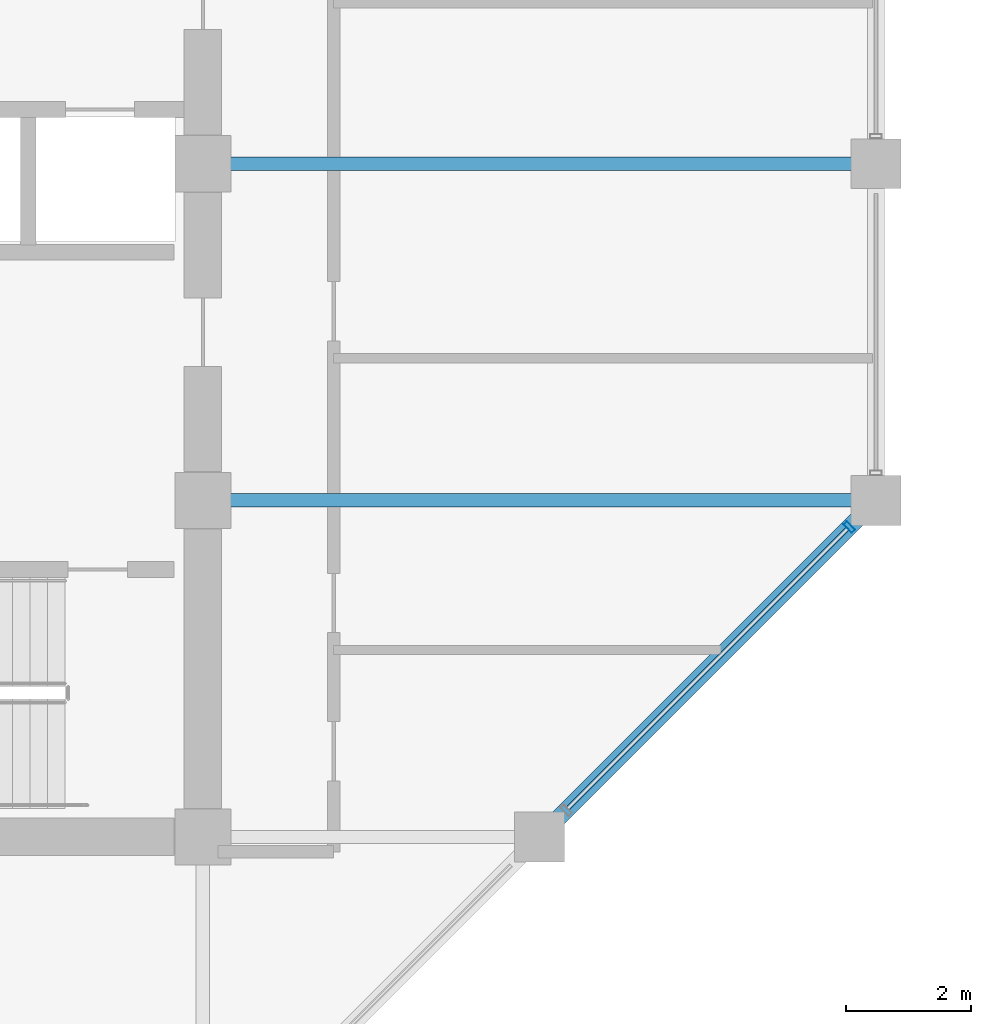
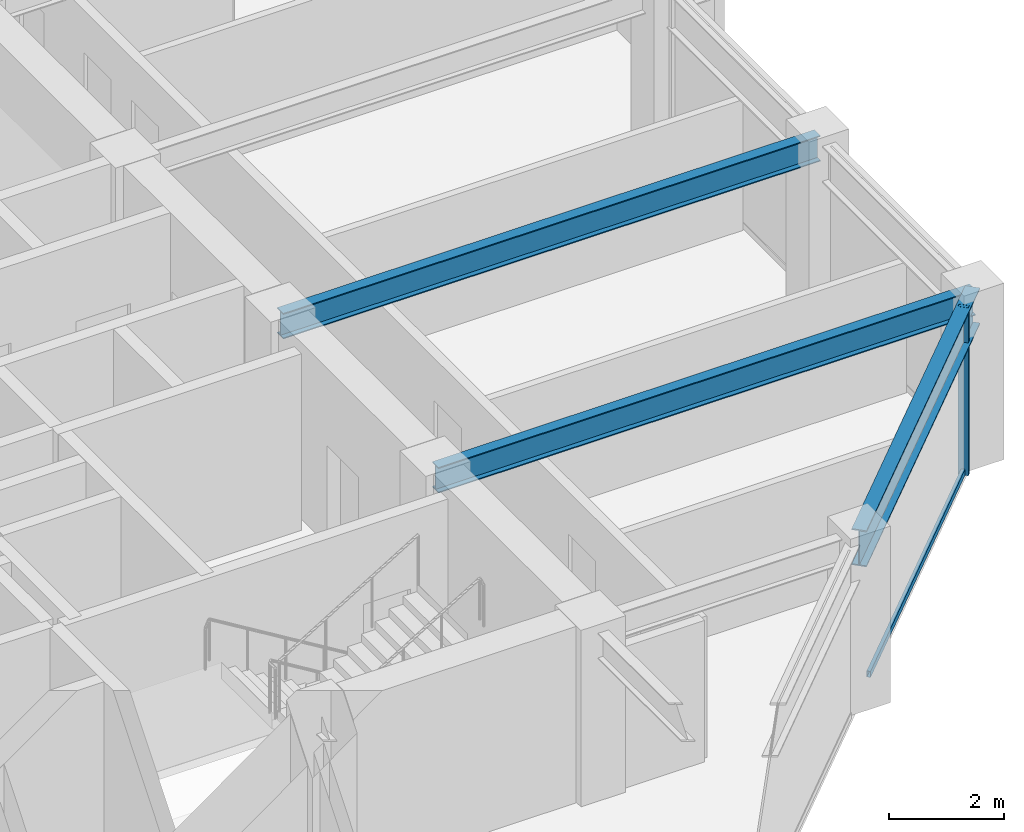
# One storey, part 11 of 30: 3 beams, 2 members, 1 element without a shape of its own.
"""IFC4 building model written with IfcOpenShell, lengths in metres."""

from ifc_helpers import new_model, si_unit, direction, frame, origin, origin_2d, place, context, subcontext, project, spatial, hollow_rectangle, i_section, extrude, material, layer, layer_set, material_profile, profile_set, type_object, element, aggregate, save


model = new_model("IFC4")

# Units and contexts
model_context = context("Model", 3, precision=1e-05, world=origin(), true_north=direction((0.0, 1.0)))
body_context = subcontext(model_context, "Body", "Model", "MODEL_VIEW")
ifc_project = project(units=[si_unit("LENGTHUNIT", "METRE"), si_unit("AREAUNIT", "SQUARE_METRE"), si_unit("VOLUMEUNIT", "CUBIC_METRE"), si_unit("PLANEANGLEUNIT", "RADIAN"), si_unit("MASSUNIT", "GRAM", prefix="KILO")], contexts=[model_context])

# Site, building, storey
site_placement = place(None, origin())
site = spatial("IfcSite", under=ifc_project, at=site_placement, CompositionType="ELEMENT")
building_placement = place(site_placement, origin())
building = spatial("IfcBuilding", under=site, at=building_placement, Name="Surkhivell Harbour Commons", CompositionType="ELEMENT")
storey_placement = place(building_placement, frame((0.0, 0.0, 227.25)))
storey = spatial("IfcBuildingStorey", under=building, at=storey_placement, Name="L59", CompositionType="ELEMENT", Elevation=227.25)

# Beams
ifc_material_1 = material(Name="Steel S355", Category="steel")
ifc_material_profile_1 = material_profile(ifc_material_1, i_section(OverallWidth=0.2119140625, OverallDepth=0.5439453125, WebThickness=0.0126953125, FlangeThickness=0.021240234375, at=origin_2d()), Name="UB533x210x122")
ifc_profile_set_1 = profile_set([ifc_material_profile_1], Name="Steel S355")
beam_type_1 = type_object("IfcBeamType", Name="BM-GRD-533A", PredefinedType="BEAM", material=ifc_profile_set_1)
for number, where, z_axis, x_axis, name in (
    (1, (10.800048828125, -5.39990234375, 3.298095703125), (1.0, 0.0, 0.0), (0.0, 1.0, 0.0), "L59 Floor Girder (10.8,-5.4)"),
    (2, (10.800048828125, 0.0, 3.298095703125), (1.0, 0.0, 0.0), (0.0, 1.0, 0.0), "L59 Floor Girder (10.8,0.0)"),
):
    element("IfcBeam", number, at=place(storey_placement, frame(where, z_axis=z_axis, x_axis=x_axis)), inside=storey, type_object=beam_type_1, Name=name, PredefinedType="BEAM", context=body_context, shape_type="SweptSolid", body=[
        extrude(i_section(OverallWidth=0.2119140625, OverallDepth=0.5439453125, WebThickness=0.0126953125, FlangeThickness=0.021240234375, at=origin_2d()), origin(), (0.0, 0.0, 1.0), 10.800048828125),
    ])
ifc_material_profile_2 = material_profile(ifc_material_1, i_section(OverallWidth=0.26806640625, OverallDepth=0.77001953125, WebThickness=0.015625, FlangeThickness=0.025390625, at=origin_2d()), Name="UB762x267x197")
ifc_profile_set_2 = profile_set([ifc_material_profile_2], Name="Steel S355")
beam_type_2 = type_object("IfcBeamType", Name="BM-SPN-762", PredefinedType="SPANDREL", material=ifc_profile_set_2)
beam_placement = place(storey_placement, frame((16.199951171875, -10.800048828125, 3.18505859375), z_axis=(0.707106781187, 0.707106781187, 0.0), x_axis=(-0.707106781187, 0.707106781187, 0.0)))
element("IfcBeam", 3, at=beam_placement, inside=storey, type_object=beam_type_2, Name="L59 Tube Spandrel (16.2,-10.8)", PredefinedType="SPANDREL", context=body_context, shape_type="SweptSolid", body=[
    extrude(i_section(OverallWidth=0.26806640625, OverallDepth=0.77001953125, WebThickness=0.015625, FlangeThickness=0.025390625, at=origin_2d()), origin(), (0.0, 0.0, 1.0), 7.636962890625),
])

# Curtain wall, members
ifc_material_2 = material(Name="Anodised pale-metal aluminium and insulated glazing", Category="aluminium")
ifc_layer = layer(ifc_material_2, 0.18994140625)
ifc_layer_set = layer_set([ifc_layer], Name="Anodised pale-metal aluminium and insulated glazing")
curtain_wall_type = type_object("IfcCurtainWallType", Name="CW-SYS-Z3", PredefinedType="NOTDEFINED", material=ifc_layer_set)
curtain_wall_placement = place(storey_placement, origin())
curtain_wall = element("IfcCurtainWall", 4, at=curtain_wall_placement, inside=storey, type_object=curtain_wall_type, Name="L59 Curtain Wall CW-L59-E01", PredefinedType="NOTDEFINED")
ifc_material_3 = material(Name="Anodised pale-metal aluminium alloy 6063-T6", Category="aluminium")
ifc_material_profile_3 = material_profile(ifc_material_3, hollow_rectangle(XDim=0.074951171875, YDim=0.18994140625, WallThickness=0.00390625, at=origin_2d()), Name="ALU-MULL-75x190")
ifc_profile_set_3 = profile_set([ifc_material_profile_3], Name="Anodised pale-metal aluminium alloy 6063-T6")
member_type_1 = type_object("IfcMemberType", Name="CWM-190", PredefinedType="MULLION", material=ifc_profile_set_3)
member_1_placement = place(storey_placement, frame((21.171875, -5.828125, 0.0), z_axis=(0.0, 0.0, 1.0), x_axis=(0.707106781187, 0.707106781187, 0.0)))
member_1 = element("IfcMember", 5, at=member_1_placement, type_object=member_type_1, Name="CW-Z3 mullion 4", PredefinedType="MULLION", context=body_context, shape_type="SweptSolid", body=[
    extrude(hollow_rectangle(XDim=0.074951171875, YDim=0.18994140625, WallThickness=0.00390625, at=origin_2d()), origin(), (0.0, 0.0, 1.0), 3.570068359375),
])
ifc_material_4 = material(Name="Champagne anodised aluminium alloy 6063-T6", Category="aluminium")
ifc_material_profile_4 = material_profile(ifc_material_4, hollow_rectangle(XDim=0.070068359375, YDim=0.1298828125, WallThickness=0.00341796875, at=origin_2d()), Name="ALU-TRAN-70x130")
ifc_profile_set_4 = profile_set([ifc_material_profile_4], Name="Champagne anodised aluminium alloy 6063-T6")
member_type_2 = type_object("IfcMemberType", Name="CWT-130", PredefinedType="USERDEFINED", material=ifc_profile_set_4)
member_2_placement = place(storey_placement, frame((16.65478515625, -10.34521484375, 0.06494140625), z_axis=(0.707106781187, 0.707106781187, 0.0), x_axis=(-0.707106781187, 0.707106781187, 0.0)))
member_2 = element("IfcMember", 6, at=member_2_placement, type_object=member_type_2, Name="CW-Z3 transom 3.1", ObjectType="TRANSOM", PredefinedType="USERDEFINED", context=body_context, shape_type="SweptSolid", body=[
    extrude(hollow_rectangle(XDim=0.070068359375, YDim=0.1298828125, WallThickness=0.00341796875, at=origin_2d()), origin(), (0.0, 0.0, 1.0), 6.3505859375),
])
aggregate(curtain_wall, [member_1, member_2])

save(model, "model.ifc")
